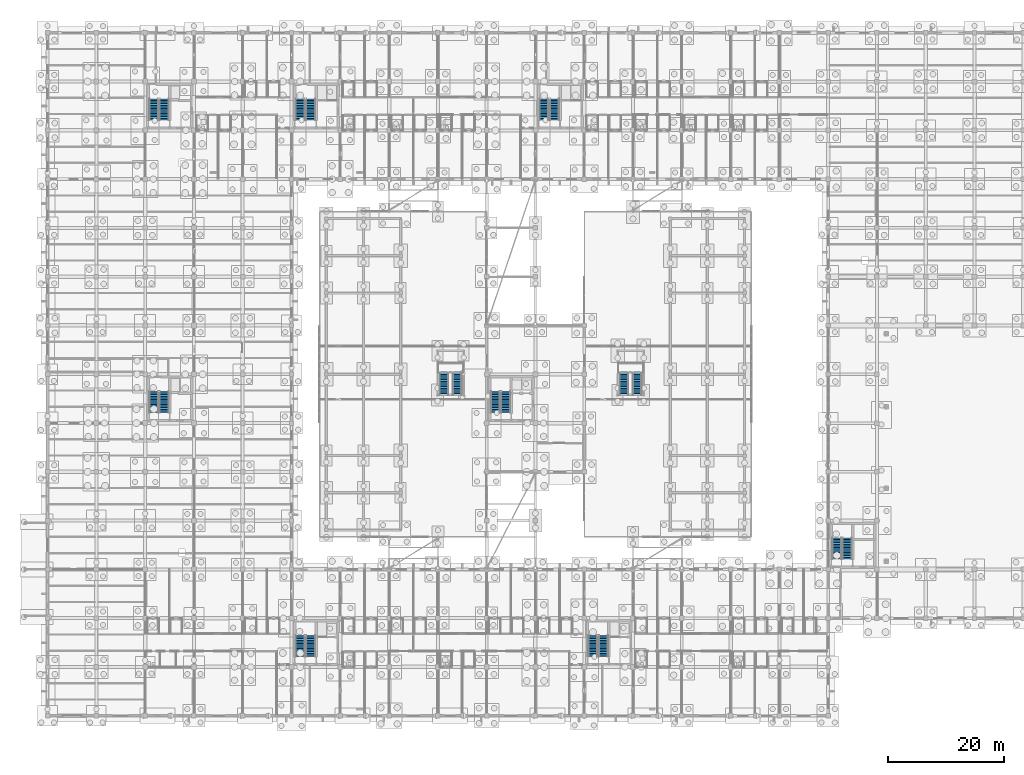
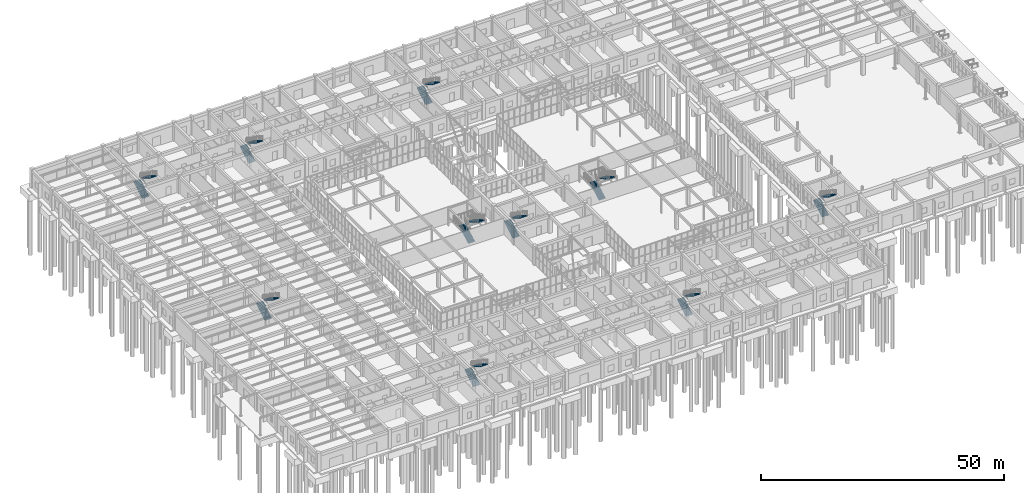
# One storey, part 174 of 192: 20 stair flights, 10 elements without a shape of their own.
"""IFC4 building model written with IfcOpenShell, lengths in metres."""

from ifc_helpers import new_model, si_unit, direction, frame, origin, place, context, subcontext, project, spatial, polyline, outline, extrude, material, type_object, element, aggregate, save


model = new_model("IFC4")

# Units and contexts
model_context = context("Model", 3, precision=1e-05, world=origin(), true_north=direction((0.0, 1.0)))
body_context = subcontext(model_context, "Body", "Model", "MODEL_VIEW")
ifc_project = project(units=[si_unit("LENGTHUNIT", "METRE"), si_unit("AREAUNIT", "SQUARE_METRE"), si_unit("VOLUMEUNIT", "CUBIC_METRE"), si_unit("PLANEANGLEUNIT", "RADIAN"), si_unit("MASSUNIT", "GRAM", prefix="KILO")], contexts=[model_context])

# Site, building, storey
site_placement = place(None, origin())
site = spatial("IfcSite", under=ifc_project, at=site_placement, CompositionType="ELEMENT")
building_placement = place(site_placement, origin())
building = spatial("IfcBuilding", under=site, at=building_placement, Name="Trelvath General Hospital", CompositionType="ELEMENT")
storey_placement = place(building_placement, origin())
storey = spatial("IfcBuildingStorey", under=building, at=storey_placement, Name="L00", CompositionType="ELEMENT", Elevation=0.0)

# Stair, stair flights
ifc_material_1 = material(Name="Concrete C35/45", Category="concrete")
stair_type_1 = type_object("IfcStairType", Name="Stair PublicCube480", PredefinedType="TWO_STRAIGHT_RUN_STAIR", material=ifc_material_1)
stair_1_placement = place(storey_placement, origin())
stair_1 = element("IfcStair", 1, at=stair_1_placement, inside=storey, type_object=stair_type_1, Name="Public Cube Feature Stair ST9 L00", PredefinedType="TWO_STRAIGHT_RUN_STAIR")
ifc_material_2 = material(Name="Concrete C35/45", Category="concrete")
stair_flight_type_1 = type_object("IfcStairFlightType", Name="Flight PublicCube480", PredefinedType="STRAIGHT", material=ifc_material_2)
stair_flight_1_placement = place(storey_placement, frame((68.25, 55.169921875, 0.0), z_axis=(0.0, 0.0, 1.0), x_axis=(0.0, 1.0, 0.0)))
stair_flight_1 = element("IfcStairFlight", 2, at=stair_flight_1_placement, type_object=stair_flight_type_1, Name="ST9-L00 flight 1", NumberOfRisers=14, NumberOfTreads=13, PredefinedType="STRAIGHT", RiserHeight=0.171428571, TreadLength=0.3, context=body_context, shape_type="SweptSolid", body=[
    extrude(outline(polyline([(0.0, 0.0), (0.0, 0.17138671875), (0.300048828125, 0.17138671875), (0.300048828125, 0.3427734375), (0.60009765625, 0.3427734375), (0.60009765625, 0.514404296875), (0.89990234375, 0.514404296875), (0.89990234375, 0.685791015625), (1.199951171875, 0.685791015625), (1.199951171875, 0.857177734375), (1.5, 0.857177734375), (1.5, 1.028564453125), (1.800048828125, 1.028564453125), (1.800048828125, 1.199951171875), (2.10009765625, 1.199951171875), (2.10009765625, 1.371337890625), (2.39990234375, 1.371337890625), (2.39990234375, 1.54296875), (2.699951171875, 1.54296875), (2.699951171875, 1.71435546875), (3.0, 1.71435546875), (3.0, 1.8857421875), (3.300048828125, 1.8857421875), (3.300048828125, 2.05712890625), (3.60009765625, 2.05712890625), (3.60009765625, 2.228515625), (3.89990234375, 2.228515625), (3.89990234375, 2.39990234375), (3.89990234375, 2.04443359375), (0.322265625, 0.0), (0.0, 0.0)])), frame((0.0, 0.77001953125, 0.0), z_axis=(0.0, -1.0, 0.0), x_axis=(1.0, 0.0, 0.0)), (0.0, 0.0, 1.0), 1.5400390625),
])
stair_flight_2_placement = place(storey_placement, frame((70.550048828125, 59.070068359375, 2.39990234375), z_axis=(0.0, 0.0, 1.0), x_axis=(0.0, -1.0, 0.0)))
stair_flight_2 = element("IfcStairFlight", 3, at=stair_flight_2_placement, type_object=stair_flight_type_1, Name="ST9-L00 flight 2", NumberOfRisers=14, NumberOfTreads=13, PredefinedType="STRAIGHT", RiserHeight=0.171428571, TreadLength=0.3, context=body_context, shape_type="SweptSolid", body=[
    extrude(outline(polyline([(0.0, 0.0), (0.0, 0.17138671875), (0.300048828125, 0.17138671875), (0.300048828125, 0.3427734375), (0.60009765625, 0.3427734375), (0.60009765625, 0.514404296875), (0.89990234375, 0.514404296875), (0.89990234375, 0.685791015625), (1.199951171875, 0.685791015625), (1.199951171875, 0.857177734375), (1.5, 0.857177734375), (1.5, 1.028564453125), (1.800048828125, 1.028564453125), (1.800048828125, 1.199951171875), (2.10009765625, 1.199951171875), (2.10009765625, 1.371337890625), (2.39990234375, 1.371337890625), (2.39990234375, 1.54296875), (2.699951171875, 1.54296875), (2.699951171875, 1.71435546875), (3.0, 1.71435546875), (3.0, 1.8857421875), (3.300048828125, 1.8857421875), (3.300048828125, 2.05712890625), (3.60009765625, 2.05712890625), (3.60009765625, 2.228515625), (3.89990234375, 2.228515625), (3.89990234375, 2.39990234375), (3.89990234375, 2.04443359375), (0.322265625, 0.0), (0.0, 0.0)])), frame((0.0, 0.77001953125, 0.0), z_axis=(0.0, -1.0, 0.0), x_axis=(1.0, 0.0, 0.0)), (0.0, 0.0, 1.0), 1.5400390625),
])
aggregate(stair_1, [stair_flight_1, stair_flight_2])

stair_2_placement = place(storey_placement, origin())
stair_2 = element("IfcStair", 4, at=stair_2_placement, inside=storey, type_object=stair_type_1, Name="Public Cube Feature Stair ST10 L00", PredefinedType="TWO_STRAIGHT_RUN_STAIR")
stair_flight_3_placement = place(storey_placement, frame((99.25, 55.169921875, 0.0), z_axis=(0.0, 0.0, 1.0), x_axis=(0.0, 1.0, 0.0)))
stair_flight_3 = element("IfcStairFlight", 5, at=stair_flight_3_placement, type_object=stair_flight_type_1, Name="ST10-L00 flight 1", NumberOfRisers=14, NumberOfTreads=13, PredefinedType="STRAIGHT", RiserHeight=0.171428571, TreadLength=0.3, context=body_context, shape_type="SweptSolid", body=[
    extrude(outline(polyline([(0.0, 0.0), (0.0, 0.17138671875), (0.300048828125, 0.17138671875), (0.300048828125, 0.3427734375), (0.60009765625, 0.3427734375), (0.60009765625, 0.514404296875), (0.89990234375, 0.514404296875), (0.89990234375, 0.685791015625), (1.199951171875, 0.685791015625), (1.199951171875, 0.857177734375), (1.5, 0.857177734375), (1.5, 1.028564453125), (1.800048828125, 1.028564453125), (1.800048828125, 1.199951171875), (2.10009765625, 1.199951171875), (2.10009765625, 1.371337890625), (2.39990234375, 1.371337890625), (2.39990234375, 1.54296875), (2.699951171875, 1.54296875), (2.699951171875, 1.71435546875), (3.0, 1.71435546875), (3.0, 1.8857421875), (3.300048828125, 1.8857421875), (3.300048828125, 2.05712890625), (3.60009765625, 2.05712890625), (3.60009765625, 2.228515625), (3.89990234375, 2.228515625), (3.89990234375, 2.39990234375), (3.89990234375, 2.04443359375), (0.322265625, 0.0), (0.0, 0.0)])), frame((0.0, 0.77001953125, 0.0), z_axis=(0.0, -1.0, 0.0), x_axis=(1.0, 0.0, 0.0)), (0.0, 0.0, 1.0), 1.5400390625),
])
stair_flight_4_placement = place(storey_placement, frame((101.550048828125, 59.070068359375, 2.39990234375), z_axis=(0.0, 0.0, 1.0), x_axis=(0.0, -1.0, 0.0)))
stair_flight_4 = element("IfcStairFlight", 6, at=stair_flight_4_placement, type_object=stair_flight_type_1, Name="ST10-L00 flight 2", NumberOfRisers=14, NumberOfTreads=13, PredefinedType="STRAIGHT", RiserHeight=0.171428571, TreadLength=0.3, context=body_context, shape_type="SweptSolid", body=[
    extrude(outline(polyline([(0.0, 0.0), (0.0, 0.17138671875), (0.300048828125, 0.17138671875), (0.300048828125, 0.3427734375), (0.60009765625, 0.3427734375), (0.60009765625, 0.514404296875), (0.89990234375, 0.514404296875), (0.89990234375, 0.685791015625), (1.199951171875, 0.685791015625), (1.199951171875, 0.857177734375), (1.5, 0.857177734375), (1.5, 1.028564453125), (1.800048828125, 1.028564453125), (1.800048828125, 1.199951171875), (2.10009765625, 1.199951171875), (2.10009765625, 1.371337890625), (2.39990234375, 1.371337890625), (2.39990234375, 1.54296875), (2.699951171875, 1.54296875), (2.699951171875, 1.71435546875), (3.0, 1.71435546875), (3.0, 1.8857421875), (3.300048828125, 1.8857421875), (3.300048828125, 2.05712890625), (3.60009765625, 2.05712890625), (3.60009765625, 2.228515625), (3.89990234375, 2.228515625), (3.89990234375, 2.39990234375), (3.89990234375, 2.04443359375), (0.322265625, 0.0), (0.0, 0.0)])), frame((0.0, 0.77001953125, 0.0), z_axis=(0.0, -1.0, 0.0), x_axis=(1.0, 0.0, 0.0)), (0.0, 0.0, 1.0), 1.5400390625),
])
aggregate(stair_2, [stair_flight_3, stair_flight_4])

ifc_material_3 = material(Name="Concrete C35/45", Category="concrete")
stair_type_2 = type_object("IfcStairType", Name="Stair Stretcher480", PredefinedType="TWO_STRAIGHT_RUN_STAIR", material=ifc_material_3)
stair_3_placement = place(storey_placement, origin())
stair_3 = element("IfcStair", 7, at=stair_3_placement, inside=storey, type_object=stair_type_2, Name="Exit Stair ST1 L00", PredefinedType="TWO_STRAIGHT_RUN_STAIR")
ifc_material_4 = material(Name="Concrete C35/45", Category="concrete")
stair_flight_type_2 = type_object("IfcStairFlightType", Name="Flight Stretcher480", PredefinedType="STRAIGHT", material=ifc_material_4)
stair_flight_5_placement = place(storey_placement, frame((43.5, 102.60009765625, 0.0), z_axis=(0.0, 0.0, 1.0), x_axis=(0.0, 1.0, 0.0)))
stair_flight_5 = element("IfcStairFlight", 8, at=stair_flight_5_placement, type_object=stair_flight_type_2, Name="ST1-L00 flight 1", NumberOfRisers=14, NumberOfTreads=13, PredefinedType="STRAIGHT", RiserHeight=0.171428571, TreadLength=0.28, context=body_context, shape_type="SweptSolid", body=[
    extrude(outline(polyline([(0.0, 0.0), (0.0, 0.17138671875), (0.280029296875, 0.17138671875), (0.280029296875, 0.3427734375), (0.56005859375, 0.3427734375), (0.56005859375, 0.514404296875), (0.840087890625, 0.514404296875), (0.840087890625, 0.685791015625), (1.1201171875, 0.685791015625), (1.1201171875, 0.857177734375), (1.39990234375, 0.857177734375), (1.39990234375, 1.028564453125), (1.679931640625, 1.028564453125), (1.679931640625, 1.199951171875), (1.9599609375, 1.199951171875), (1.9599609375, 1.371337890625), (2.239990234375, 1.371337890625), (2.239990234375, 1.54296875), (2.52001953125, 1.54296875), (2.52001953125, 1.71435546875), (2.800048828125, 1.71435546875), (2.800048828125, 1.8857421875), (3.080078125, 1.8857421875), (3.080078125, 2.05712890625), (3.360107421875, 2.05712890625), (3.360107421875, 2.228515625), (3.639892578125, 2.228515625), (3.639892578125, 2.39990234375), (3.639892578125, 2.041015625), (0.30615234375, 0.0), (0.0, 0.0)])), frame((0.0, 0.81005859375, 0.0), z_axis=(0.0, -1.0, 0.0), x_axis=(1.0, 0.0, 0.0)), (0.0, 0.0, 1.0), 1.6201171875),
])
stair_flight_6_placement = place(storey_placement, frame((45.300048828125, 106.239990234375, 2.39990234375), z_axis=(0.0, 0.0, 1.0), x_axis=(0.0, -1.0, 0.0)))
stair_flight_6 = element("IfcStairFlight", 9, at=stair_flight_6_placement, type_object=stair_flight_type_2, Name="ST1-L00 flight 2", NumberOfRisers=14, NumberOfTreads=13, PredefinedType="STRAIGHT", RiserHeight=0.171428571, TreadLength=0.28, context=body_context, shape_type="SweptSolid", body=[
    extrude(outline(polyline([(0.0, 0.0), (0.0, 0.17138671875), (0.280029296875, 0.17138671875), (0.280029296875, 0.3427734375), (0.56005859375, 0.3427734375), (0.56005859375, 0.514404296875), (0.840087890625, 0.514404296875), (0.840087890625, 0.685791015625), (1.1201171875, 0.685791015625), (1.1201171875, 0.857177734375), (1.39990234375, 0.857177734375), (1.39990234375, 1.028564453125), (1.679931640625, 1.028564453125), (1.679931640625, 1.199951171875), (1.9599609375, 1.199951171875), (1.9599609375, 1.371337890625), (2.239990234375, 1.371337890625), (2.239990234375, 1.54296875), (2.52001953125, 1.54296875), (2.52001953125, 1.71435546875), (2.800048828125, 1.71435546875), (2.800048828125, 1.8857421875), (3.080078125, 1.8857421875), (3.080078125, 2.05712890625), (3.360107421875, 2.05712890625), (3.360107421875, 2.228515625), (3.639892578125, 2.228515625), (3.639892578125, 2.39990234375), (3.639892578125, 2.041015625), (0.30615234375, 0.0), (0.0, 0.0)])), frame((0.0, 0.81005859375, 0.0), z_axis=(0.0, -1.0, 0.0), x_axis=(1.0, 0.0, 0.0)), (0.0, 0.0, 1.0), 1.6201171875),
])
aggregate(stair_3, [stair_flight_5, stair_flight_6])

stair_4_placement = place(storey_placement, origin())
stair_4 = element("IfcStair", 10, at=stair_4_placement, inside=storey, type_object=stair_type_2, Name="Exit Stair ST2 L00", PredefinedType="TWO_STRAIGHT_RUN_STAIR")
stair_flight_7_placement = place(storey_placement, frame((85.5, 102.60009765625, 0.0), z_axis=(0.0, 0.0, 1.0), x_axis=(0.0, 1.0, 0.0)))
stair_flight_7 = element("IfcStairFlight", 11, at=stair_flight_7_placement, type_object=stair_flight_type_2, Name="ST2-L00 flight 1", NumberOfRisers=14, NumberOfTreads=13, PredefinedType="STRAIGHT", RiserHeight=0.171428571, TreadLength=0.28, context=body_context, shape_type="SweptSolid", body=[
    extrude(outline(polyline([(0.0, 0.0), (0.0, 0.17138671875), (0.280029296875, 0.17138671875), (0.280029296875, 0.3427734375), (0.56005859375, 0.3427734375), (0.56005859375, 0.514404296875), (0.840087890625, 0.514404296875), (0.840087890625, 0.685791015625), (1.1201171875, 0.685791015625), (1.1201171875, 0.857177734375), (1.39990234375, 0.857177734375), (1.39990234375, 1.028564453125), (1.679931640625, 1.028564453125), (1.679931640625, 1.199951171875), (1.9599609375, 1.199951171875), (1.9599609375, 1.371337890625), (2.239990234375, 1.371337890625), (2.239990234375, 1.54296875), (2.52001953125, 1.54296875), (2.52001953125, 1.71435546875), (2.800048828125, 1.71435546875), (2.800048828125, 1.8857421875), (3.080078125, 1.8857421875), (3.080078125, 2.05712890625), (3.360107421875, 2.05712890625), (3.360107421875, 2.228515625), (3.639892578125, 2.228515625), (3.639892578125, 2.39990234375), (3.639892578125, 2.041015625), (0.30615234375, 0.0), (0.0, 0.0)])), frame((0.0, 0.81005859375, 0.0), z_axis=(0.0, -1.0, 0.0), x_axis=(1.0, 0.0, 0.0)), (0.0, 0.0, 1.0), 1.6201171875),
])
stair_flight_8_placement = place(storey_placement, frame((87.300048828125, 106.239990234375, 2.39990234375), z_axis=(0.0, 0.0, 1.0), x_axis=(0.0, -1.0, 0.0)))
stair_flight_8 = element("IfcStairFlight", 12, at=stair_flight_8_placement, type_object=stair_flight_type_2, Name="ST2-L00 flight 2", NumberOfRisers=14, NumberOfTreads=13, PredefinedType="STRAIGHT", RiserHeight=0.171428571, TreadLength=0.28, context=body_context, shape_type="SweptSolid", body=[
    extrude(outline(polyline([(0.0, 0.0), (0.0, 0.17138671875), (0.280029296875, 0.17138671875), (0.280029296875, 0.3427734375), (0.56005859375, 0.3427734375), (0.56005859375, 0.514404296875), (0.840087890625, 0.514404296875), (0.840087890625, 0.685791015625), (1.1201171875, 0.685791015625), (1.1201171875, 0.857177734375), (1.39990234375, 0.857177734375), (1.39990234375, 1.028564453125), (1.679931640625, 1.028564453125), (1.679931640625, 1.199951171875), (1.9599609375, 1.199951171875), (1.9599609375, 1.371337890625), (2.239990234375, 1.371337890625), (2.239990234375, 1.54296875), (2.52001953125, 1.54296875), (2.52001953125, 1.71435546875), (2.800048828125, 1.71435546875), (2.800048828125, 1.8857421875), (3.080078125, 1.8857421875), (3.080078125, 2.05712890625), (3.360107421875, 2.05712890625), (3.360107421875, 2.228515625), (3.639892578125, 2.228515625), (3.639892578125, 2.39990234375), (3.639892578125, 2.041015625), (0.30615234375, 0.0), (0.0, 0.0)])), frame((0.0, 0.81005859375, 0.0), z_axis=(0.0, -1.0, 0.0), x_axis=(1.0, 0.0, 0.0)), (0.0, 0.0, 1.0), 1.6201171875),
])
aggregate(stair_4, [stair_flight_7, stair_flight_8])

stair_5_placement = place(storey_placement, origin())
stair_5 = element("IfcStair", 13, at=stair_5_placement, inside=storey, type_object=stair_type_2, Name="Exit Stair ST3 L00", PredefinedType="TWO_STRAIGHT_RUN_STAIR")
stair_flight_9_placement = place(storey_placement, frame((18.300048828125, 102.60009765625, 0.0), z_axis=(0.0, 0.0, 1.0), x_axis=(0.0, 1.0, 0.0)))
stair_flight_9 = element("IfcStairFlight", 14, at=stair_flight_9_placement, type_object=stair_flight_type_2, Name="ST3-L00 flight 1", NumberOfRisers=14, NumberOfTreads=13, PredefinedType="STRAIGHT", RiserHeight=0.171428571, TreadLength=0.28, context=body_context, shape_type="SweptSolid", body=[
    extrude(outline(polyline([(0.0, 0.0), (0.0, 0.17138671875), (0.280029296875, 0.17138671875), (0.280029296875, 0.3427734375), (0.56005859375, 0.3427734375), (0.56005859375, 0.514404296875), (0.840087890625, 0.514404296875), (0.840087890625, 0.685791015625), (1.1201171875, 0.685791015625), (1.1201171875, 0.857177734375), (1.39990234375, 0.857177734375), (1.39990234375, 1.028564453125), (1.679931640625, 1.028564453125), (1.679931640625, 1.199951171875), (1.9599609375, 1.199951171875), (1.9599609375, 1.371337890625), (2.239990234375, 1.371337890625), (2.239990234375, 1.54296875), (2.52001953125, 1.54296875), (2.52001953125, 1.71435546875), (2.800048828125, 1.71435546875), (2.800048828125, 1.8857421875), (3.080078125, 1.8857421875), (3.080078125, 2.05712890625), (3.360107421875, 2.05712890625), (3.360107421875, 2.228515625), (3.639892578125, 2.228515625), (3.639892578125, 2.39990234375), (3.639892578125, 2.041015625), (0.30615234375, 0.0), (0.0, 0.0)])), frame((0.0, 0.81005859375, 0.0), z_axis=(0.0, -1.0, 0.0), x_axis=(1.0, 0.0, 0.0)), (0.0, 0.0, 1.0), 1.6201171875),
])
stair_flight_10_placement = place(storey_placement, frame((20.10009765625, 106.239990234375, 2.39990234375), z_axis=(0.0, 0.0, 1.0), x_axis=(0.0, -1.0, 0.0)))
stair_flight_10 = element("IfcStairFlight", 15, at=stair_flight_10_placement, type_object=stair_flight_type_2, Name="ST3-L00 flight 2", NumberOfRisers=14, NumberOfTreads=13, PredefinedType="STRAIGHT", RiserHeight=0.171428571, TreadLength=0.28, context=body_context, shape_type="SweptSolid", body=[
    extrude(outline(polyline([(0.0, 0.0), (0.0, 0.17138671875), (0.280029296875, 0.17138671875), (0.280029296875, 0.3427734375), (0.56005859375, 0.3427734375), (0.56005859375, 0.514404296875), (0.840087890625, 0.514404296875), (0.840087890625, 0.685791015625), (1.1201171875, 0.685791015625), (1.1201171875, 0.857177734375), (1.39990234375, 0.857177734375), (1.39990234375, 1.028564453125), (1.679931640625, 1.028564453125), (1.679931640625, 1.199951171875), (1.9599609375, 1.199951171875), (1.9599609375, 1.371337890625), (2.239990234375, 1.371337890625), (2.239990234375, 1.54296875), (2.52001953125, 1.54296875), (2.52001953125, 1.71435546875), (2.800048828125, 1.71435546875), (2.800048828125, 1.8857421875), (3.080078125, 1.8857421875), (3.080078125, 2.05712890625), (3.360107421875, 2.05712890625), (3.360107421875, 2.228515625), (3.639892578125, 2.228515625), (3.639892578125, 2.39990234375), (3.639892578125, 2.041015625), (0.30615234375, 0.0), (0.0, 0.0)])), frame((0.0, 0.81005859375, 0.0), z_axis=(0.0, -1.0, 0.0), x_axis=(1.0, 0.0, 0.0)), (0.0, 0.0, 1.0), 1.6201171875),
])
aggregate(stair_5, [stair_flight_9, stair_flight_10])

stair_6_placement = place(storey_placement, origin())
stair_6 = element("IfcStair", 16, at=stair_6_placement, inside=storey, type_object=stair_type_2, Name="Exit Stair ST4 L00", PredefinedType="TWO_STRAIGHT_RUN_STAIR")
stair_flight_11_placement = place(storey_placement, frame((43.5, 10.199951171875, 0.0), z_axis=(0.0, 0.0, 1.0), x_axis=(0.0, 1.0, 0.0)))
stair_flight_11 = element("IfcStairFlight", 17, at=stair_flight_11_placement, type_object=stair_flight_type_2, Name="ST4-L00 flight 1", NumberOfRisers=14, NumberOfTreads=13, PredefinedType="STRAIGHT", RiserHeight=0.171428571, TreadLength=0.28, context=body_context, shape_type="SweptSolid", body=[
    extrude(outline(polyline([(0.0, 0.0), (0.0, 0.17138671875), (0.280029296875, 0.17138671875), (0.280029296875, 0.3427734375), (0.56005859375, 0.3427734375), (0.56005859375, 0.514404296875), (0.840087890625, 0.514404296875), (0.840087890625, 0.685791015625), (1.1201171875, 0.685791015625), (1.1201171875, 0.857177734375), (1.39990234375, 0.857177734375), (1.39990234375, 1.028564453125), (1.679931640625, 1.028564453125), (1.679931640625, 1.199951171875), (1.9599609375, 1.199951171875), (1.9599609375, 1.371337890625), (2.239990234375, 1.371337890625), (2.239990234375, 1.54296875), (2.52001953125, 1.54296875), (2.52001953125, 1.71435546875), (2.800048828125, 1.71435546875), (2.800048828125, 1.8857421875), (3.080078125, 1.8857421875), (3.080078125, 2.05712890625), (3.360107421875, 2.05712890625), (3.360107421875, 2.228515625), (3.639892578125, 2.228515625), (3.639892578125, 2.39990234375), (3.639892578125, 2.041015625), (0.30615234375, 0.0), (0.0, 0.0)])), frame((0.0, 0.81005859375, 0.0), z_axis=(0.0, -1.0, 0.0), x_axis=(1.0, 0.0, 0.0)), (0.0, 0.0, 1.0), 1.6201171875),
])
stair_flight_12_placement = place(storey_placement, frame((45.300048828125, 13.840087890625, 2.39990234375), z_axis=(0.0, 0.0, 1.0), x_axis=(0.0, -1.0, 0.0)))
stair_flight_12 = element("IfcStairFlight", 18, at=stair_flight_12_placement, type_object=stair_flight_type_2, Name="ST4-L00 flight 2", NumberOfRisers=14, NumberOfTreads=13, PredefinedType="STRAIGHT", RiserHeight=0.171428571, TreadLength=0.28, context=body_context, shape_type="SweptSolid", body=[
    extrude(outline(polyline([(0.0, 0.0), (0.0, 0.17138671875), (0.280029296875, 0.17138671875), (0.280029296875, 0.3427734375), (0.56005859375, 0.3427734375), (0.56005859375, 0.514404296875), (0.840087890625, 0.514404296875), (0.840087890625, 0.685791015625), (1.1201171875, 0.685791015625), (1.1201171875, 0.857177734375), (1.39990234375, 0.857177734375), (1.39990234375, 1.028564453125), (1.679931640625, 1.028564453125), (1.679931640625, 1.199951171875), (1.9599609375, 1.199951171875), (1.9599609375, 1.371337890625), (2.239990234375, 1.371337890625), (2.239990234375, 1.54296875), (2.52001953125, 1.54296875), (2.52001953125, 1.71435546875), (2.800048828125, 1.71435546875), (2.800048828125, 1.8857421875), (3.080078125, 1.8857421875), (3.080078125, 2.05712890625), (3.360107421875, 2.05712890625), (3.360107421875, 2.228515625), (3.639892578125, 2.228515625), (3.639892578125, 2.39990234375), (3.639892578125, 2.041015625), (0.30615234375, 0.0), (0.0, 0.0)])), frame((0.0, 0.81005859375, 0.0), z_axis=(0.0, -1.0, 0.0), x_axis=(1.0, 0.0, 0.0)), (0.0, 0.0, 1.0), 1.6201171875),
])
aggregate(stair_6, [stair_flight_11, stair_flight_12])

stair_7_placement = place(storey_placement, origin())
stair_7 = element("IfcStair", 19, at=stair_7_placement, inside=storey, type_object=stair_type_2, Name="Exit Stair ST5 L00", PredefinedType="TWO_STRAIGHT_RUN_STAIR")
stair_flight_13_placement = place(storey_placement, frame((93.89990234375, 10.199951171875, 0.0), z_axis=(0.0, 0.0, 1.0), x_axis=(0.0, 1.0, 0.0)))
stair_flight_13 = element("IfcStairFlight", 20, at=stair_flight_13_placement, type_object=stair_flight_type_2, Name="ST5-L00 flight 1", NumberOfRisers=14, NumberOfTreads=13, PredefinedType="STRAIGHT", RiserHeight=0.171428571, TreadLength=0.28, context=body_context, shape_type="SweptSolid", body=[
    extrude(outline(polyline([(0.0, 0.0), (0.0, 0.17138671875), (0.280029296875, 0.17138671875), (0.280029296875, 0.3427734375), (0.56005859375, 0.3427734375), (0.56005859375, 0.514404296875), (0.840087890625, 0.514404296875), (0.840087890625, 0.685791015625), (1.1201171875, 0.685791015625), (1.1201171875, 0.857177734375), (1.39990234375, 0.857177734375), (1.39990234375, 1.028564453125), (1.679931640625, 1.028564453125), (1.679931640625, 1.199951171875), (1.9599609375, 1.199951171875), (1.9599609375, 1.371337890625), (2.239990234375, 1.371337890625), (2.239990234375, 1.54296875), (2.52001953125, 1.54296875), (2.52001953125, 1.71435546875), (2.800048828125, 1.71435546875), (2.800048828125, 1.8857421875), (3.080078125, 1.8857421875), (3.080078125, 2.05712890625), (3.360107421875, 2.05712890625), (3.360107421875, 2.228515625), (3.639892578125, 2.228515625), (3.639892578125, 2.39990234375), (3.639892578125, 2.041015625), (0.30615234375, 0.0), (0.0, 0.0)])), frame((0.0, 0.81005859375, 0.0), z_axis=(0.0, -1.0, 0.0), x_axis=(1.0, 0.0, 0.0)), (0.0, 0.0, 1.0), 1.6201171875),
])
stair_flight_14_placement = place(storey_placement, frame((95.699951171875, 13.840087890625, 2.39990234375), z_axis=(0.0, 0.0, 1.0), x_axis=(0.0, -1.0, 0.0)))
stair_flight_14 = element("IfcStairFlight", 21, at=stair_flight_14_placement, type_object=stair_flight_type_2, Name="ST5-L00 flight 2", NumberOfRisers=14, NumberOfTreads=13, PredefinedType="STRAIGHT", RiserHeight=0.171428571, TreadLength=0.28, context=body_context, shape_type="SweptSolid", body=[
    extrude(outline(polyline([(0.0, 0.0), (0.0, 0.17138671875), (0.280029296875, 0.17138671875), (0.280029296875, 0.3427734375), (0.56005859375, 0.3427734375), (0.56005859375, 0.514404296875), (0.840087890625, 0.514404296875), (0.840087890625, 0.685791015625), (1.1201171875, 0.685791015625), (1.1201171875, 0.857177734375), (1.39990234375, 0.857177734375), (1.39990234375, 1.028564453125), (1.679931640625, 1.028564453125), (1.679931640625, 1.199951171875), (1.9599609375, 1.199951171875), (1.9599609375, 1.371337890625), (2.239990234375, 1.371337890625), (2.239990234375, 1.54296875), (2.52001953125, 1.54296875), (2.52001953125, 1.71435546875), (2.800048828125, 1.71435546875), (2.800048828125, 1.8857421875), (3.080078125, 1.8857421875), (3.080078125, 2.05712890625), (3.360107421875, 2.05712890625), (3.360107421875, 2.228515625), (3.639892578125, 2.228515625), (3.639892578125, 2.39990234375), (3.639892578125, 2.041015625), (0.30615234375, 0.0), (0.0, 0.0)])), frame((0.0, 0.81005859375, 0.0), z_axis=(0.0, -1.0, 0.0), x_axis=(1.0, 0.0, 0.0)), (0.0, 0.0, 1.0), 1.6201171875),
])
aggregate(stair_7, [stair_flight_13, stair_flight_14])

stair_8_placement = place(storey_placement, origin())
stair_8 = element("IfcStair", 22, at=stair_8_placement, inside=storey, type_object=stair_type_2, Name="Exit Stair ST6 L00", PredefinedType="TWO_STRAIGHT_RUN_STAIR")
stair_flight_15_placement = place(storey_placement, frame((77.10009765625, 52.199951171875, 0.0), z_axis=(0.0, 0.0, 1.0), x_axis=(0.0, 1.0, 0.0)))
stair_flight_15 = element("IfcStairFlight", 23, at=stair_flight_15_placement, type_object=stair_flight_type_2, Name="ST6-L00 flight 1", NumberOfRisers=14, NumberOfTreads=13, PredefinedType="STRAIGHT", RiserHeight=0.171428571, TreadLength=0.28, context=body_context, shape_type="SweptSolid", body=[
    extrude(outline(polyline([(0.0, 0.0), (0.0, 0.17138671875), (0.280029296875, 0.17138671875), (0.280029296875, 0.3427734375), (0.56005859375, 0.3427734375), (0.56005859375, 0.514404296875), (0.840087890625, 0.514404296875), (0.840087890625, 0.685791015625), (1.1201171875, 0.685791015625), (1.1201171875, 0.857177734375), (1.39990234375, 0.857177734375), (1.39990234375, 1.028564453125), (1.679931640625, 1.028564453125), (1.679931640625, 1.199951171875), (1.9599609375, 1.199951171875), (1.9599609375, 1.371337890625), (2.239990234375, 1.371337890625), (2.239990234375, 1.54296875), (2.52001953125, 1.54296875), (2.52001953125, 1.71435546875), (2.800048828125, 1.71435546875), (2.800048828125, 1.8857421875), (3.080078125, 1.8857421875), (3.080078125, 2.05712890625), (3.360107421875, 2.05712890625), (3.360107421875, 2.228515625), (3.639892578125, 2.228515625), (3.639892578125, 2.39990234375), (3.639892578125, 2.041015625), (0.30615234375, 0.0), (0.0, 0.0)])), frame((0.0, 0.81005859375, 0.0), z_axis=(0.0, -1.0, 0.0), x_axis=(1.0, 0.0, 0.0)), (0.0, 0.0, 1.0), 1.6201171875),
])
stair_flight_16_placement = place(storey_placement, frame((78.89990234375, 55.840087890625, 2.39990234375), z_axis=(0.0, 0.0, 1.0), x_axis=(0.0, -1.0, 0.0)))
stair_flight_16 = element("IfcStairFlight", 24, at=stair_flight_16_placement, type_object=stair_flight_type_2, Name="ST6-L00 flight 2", NumberOfRisers=14, NumberOfTreads=13, PredefinedType="STRAIGHT", RiserHeight=0.171428571, TreadLength=0.28, context=body_context, shape_type="SweptSolid", body=[
    extrude(outline(polyline([(0.0, 0.0), (0.0, 0.17138671875), (0.280029296875, 0.17138671875), (0.280029296875, 0.3427734375), (0.56005859375, 0.3427734375), (0.56005859375, 0.514404296875), (0.840087890625, 0.514404296875), (0.840087890625, 0.685791015625), (1.1201171875, 0.685791015625), (1.1201171875, 0.857177734375), (1.39990234375, 0.857177734375), (1.39990234375, 1.028564453125), (1.679931640625, 1.028564453125), (1.679931640625, 1.199951171875), (1.9599609375, 1.199951171875), (1.9599609375, 1.371337890625), (2.239990234375, 1.371337890625), (2.239990234375, 1.54296875), (2.52001953125, 1.54296875), (2.52001953125, 1.71435546875), (2.800048828125, 1.71435546875), (2.800048828125, 1.8857421875), (3.080078125, 1.8857421875), (3.080078125, 2.05712890625), (3.360107421875, 2.05712890625), (3.360107421875, 2.228515625), (3.639892578125, 2.228515625), (3.639892578125, 2.39990234375), (3.639892578125, 2.041015625), (0.30615234375, 0.0), (0.0, 0.0)])), frame((0.0, 0.81005859375, 0.0), z_axis=(0.0, -1.0, 0.0), x_axis=(1.0, 0.0, 0.0)), (0.0, 0.0, 1.0), 1.6201171875),
])
aggregate(stair_8, [stair_flight_15, stair_flight_16])

stair_9_placement = place(storey_placement, origin())
stair_9 = element("IfcStair", 25, at=stair_9_placement, inside=storey, type_object=stair_type_2, Name="Exit Stair ST7 L00", PredefinedType="TWO_STRAIGHT_RUN_STAIR")
stair_flight_17_placement = place(storey_placement, frame((135.89990234375, 27.0, 0.0), z_axis=(0.0, 0.0, 1.0), x_axis=(0.0, 1.0, 0.0)))
stair_flight_17 = element("IfcStairFlight", 26, at=stair_flight_17_placement, type_object=stair_flight_type_2, Name="ST7-L00 flight 1", NumberOfRisers=14, NumberOfTreads=13, PredefinedType="STRAIGHT", RiserHeight=0.171428571, TreadLength=0.28, context=body_context, shape_type="SweptSolid", body=[
    extrude(outline(polyline([(0.0, 0.0), (0.0, 0.17138671875), (0.280029296875, 0.17138671875), (0.280029296875, 0.3427734375), (0.56005859375, 0.3427734375), (0.56005859375, 0.514404296875), (0.840087890625, 0.514404296875), (0.840087890625, 0.685791015625), (1.1201171875, 0.685791015625), (1.1201171875, 0.857177734375), (1.39990234375, 0.857177734375), (1.39990234375, 1.028564453125), (1.679931640625, 1.028564453125), (1.679931640625, 1.199951171875), (1.9599609375, 1.199951171875), (1.9599609375, 1.371337890625), (2.239990234375, 1.371337890625), (2.239990234375, 1.54296875), (2.52001953125, 1.54296875), (2.52001953125, 1.71435546875), (2.800048828125, 1.71435546875), (2.800048828125, 1.8857421875), (3.080078125, 1.8857421875), (3.080078125, 2.05712890625), (3.360107421875, 2.05712890625), (3.360107421875, 2.228515625), (3.639892578125, 2.228515625), (3.639892578125, 2.39990234375), (3.639892578125, 2.041015625), (0.30615234375, 0.0), (0.0, 0.0)])), frame((0.0, 0.81005859375, 0.0), z_axis=(0.0, -1.0, 0.0), x_axis=(1.0, 0.0, 0.0)), (0.0, 0.0, 1.0), 1.6201171875),
])
stair_flight_18_placement = place(storey_placement, frame((137.699951171875, 30.639892578125, 2.39990234375), z_axis=(0.0, 0.0, 1.0), x_axis=(0.0, -1.0, 0.0)))
stair_flight_18 = element("IfcStairFlight", 27, at=stair_flight_18_placement, type_object=stair_flight_type_2, Name="ST7-L00 flight 2", NumberOfRisers=14, NumberOfTreads=13, PredefinedType="STRAIGHT", RiserHeight=0.171428571, TreadLength=0.28, context=body_context, shape_type="SweptSolid", body=[
    extrude(outline(polyline([(0.0, 0.0), (0.0, 0.17138671875), (0.280029296875, 0.17138671875), (0.280029296875, 0.3427734375), (0.56005859375, 0.3427734375), (0.56005859375, 0.514404296875), (0.840087890625, 0.514404296875), (0.840087890625, 0.685791015625), (1.1201171875, 0.685791015625), (1.1201171875, 0.857177734375), (1.39990234375, 0.857177734375), (1.39990234375, 1.028564453125), (1.679931640625, 1.028564453125), (1.679931640625, 1.199951171875), (1.9599609375, 1.199951171875), (1.9599609375, 1.371337890625), (2.239990234375, 1.371337890625), (2.239990234375, 1.54296875), (2.52001953125, 1.54296875), (2.52001953125, 1.71435546875), (2.800048828125, 1.71435546875), (2.800048828125, 1.8857421875), (3.080078125, 1.8857421875), (3.080078125, 2.05712890625), (3.360107421875, 2.05712890625), (3.360107421875, 2.228515625), (3.639892578125, 2.228515625), (3.639892578125, 2.39990234375), (3.639892578125, 2.041015625), (0.30615234375, 0.0), (0.0, 0.0)])), frame((0.0, 0.81005859375, 0.0), z_axis=(0.0, -1.0, 0.0), x_axis=(1.0, 0.0, 0.0)), (0.0, 0.0, 1.0), 1.6201171875),
])
aggregate(stair_9, [stair_flight_17, stair_flight_18])

stair_10_placement = place(storey_placement, origin())
stair_10 = element("IfcStair", 28, at=stair_10_placement, inside=storey, type_object=stair_type_2, Name="Exit Stair ST8 L00", PredefinedType="TWO_STRAIGHT_RUN_STAIR")
stair_flight_19_placement = place(storey_placement, frame((18.300048828125, 52.199951171875, 0.0), z_axis=(0.0, 0.0, 1.0), x_axis=(0.0, 1.0, 0.0)))
stair_flight_19 = element("IfcStairFlight", 29, at=stair_flight_19_placement, type_object=stair_flight_type_2, Name="ST8-L00 flight 1", NumberOfRisers=14, NumberOfTreads=13, PredefinedType="STRAIGHT", RiserHeight=0.171428571, TreadLength=0.28, context=body_context, shape_type="SweptSolid", body=[
    extrude(outline(polyline([(0.0, 0.0), (0.0, 0.17138671875), (0.280029296875, 0.17138671875), (0.280029296875, 0.3427734375), (0.56005859375, 0.3427734375), (0.56005859375, 0.514404296875), (0.840087890625, 0.514404296875), (0.840087890625, 0.685791015625), (1.1201171875, 0.685791015625), (1.1201171875, 0.857177734375), (1.39990234375, 0.857177734375), (1.39990234375, 1.028564453125), (1.679931640625, 1.028564453125), (1.679931640625, 1.199951171875), (1.9599609375, 1.199951171875), (1.9599609375, 1.371337890625), (2.239990234375, 1.371337890625), (2.239990234375, 1.54296875), (2.52001953125, 1.54296875), (2.52001953125, 1.71435546875), (2.800048828125, 1.71435546875), (2.800048828125, 1.8857421875), (3.080078125, 1.8857421875), (3.080078125, 2.05712890625), (3.360107421875, 2.05712890625), (3.360107421875, 2.228515625), (3.639892578125, 2.228515625), (3.639892578125, 2.39990234375), (3.639892578125, 2.041015625), (0.30615234375, 0.0), (0.0, 0.0)])), frame((0.0, 0.81005859375, 0.0), z_axis=(0.0, -1.0, 0.0), x_axis=(1.0, 0.0, 0.0)), (0.0, 0.0, 1.0), 1.6201171875),
])
stair_flight_20_placement = place(storey_placement, frame((20.10009765625, 55.840087890625, 2.39990234375), z_axis=(0.0, 0.0, 1.0), x_axis=(0.0, -1.0, 0.0)))
stair_flight_20 = element("IfcStairFlight", 30, at=stair_flight_20_placement, type_object=stair_flight_type_2, Name="ST8-L00 flight 2", NumberOfRisers=14, NumberOfTreads=13, PredefinedType="STRAIGHT", RiserHeight=0.171428571, TreadLength=0.28, context=body_context, shape_type="SweptSolid", body=[
    extrude(outline(polyline([(0.0, 0.0), (0.0, 0.17138671875), (0.280029296875, 0.17138671875), (0.280029296875, 0.3427734375), (0.56005859375, 0.3427734375), (0.56005859375, 0.514404296875), (0.840087890625, 0.514404296875), (0.840087890625, 0.685791015625), (1.1201171875, 0.685791015625), (1.1201171875, 0.857177734375), (1.39990234375, 0.857177734375), (1.39990234375, 1.028564453125), (1.679931640625, 1.028564453125), (1.679931640625, 1.199951171875), (1.9599609375, 1.199951171875), (1.9599609375, 1.371337890625), (2.239990234375, 1.371337890625), (2.239990234375, 1.54296875), (2.52001953125, 1.54296875), (2.52001953125, 1.71435546875), (2.800048828125, 1.71435546875), (2.800048828125, 1.8857421875), (3.080078125, 1.8857421875), (3.080078125, 2.05712890625), (3.360107421875, 2.05712890625), (3.360107421875, 2.228515625), (3.639892578125, 2.228515625), (3.639892578125, 2.39990234375), (3.639892578125, 2.041015625), (0.30615234375, 0.0), (0.0, 0.0)])), frame((0.0, 0.81005859375, 0.0), z_axis=(0.0, -1.0, 0.0), x_axis=(1.0, 0.0, 0.0)), (0.0, 0.0, 1.0), 1.6201171875),
])
aggregate(stair_10, [stair_flight_19, stair_flight_20])

save(model, "model.ifc")
